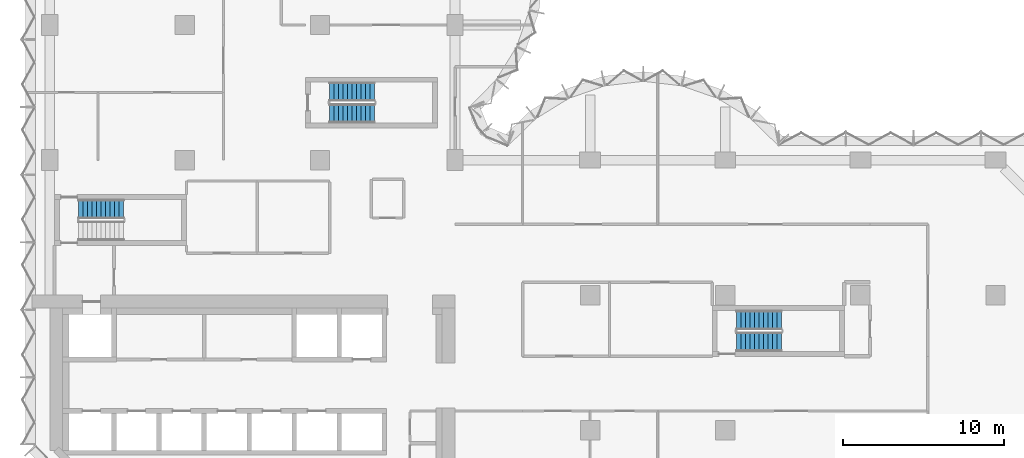
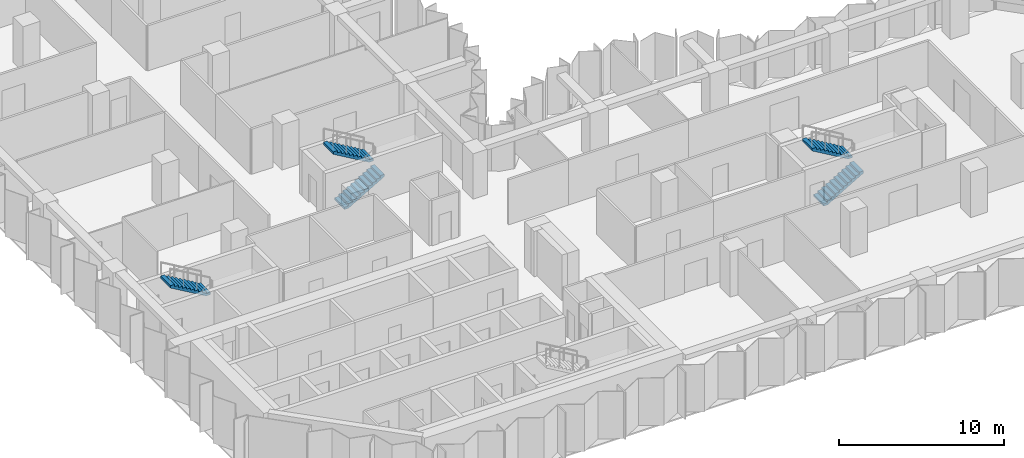
# One storey, part 11 of 13: 5 stair flights, 3 elements without a shape of their own.
"""IFC4 building model written with IfcOpenShell, lengths in metres."""

from ifc_helpers import new_model, si_unit, direction, frame, origin, place, context, subcontext, project, spatial, polyline, outline, extrude, material, type_object, element, aggregate, save


model = new_model("IFC4")

# Units and contexts
model_context = context("Model", 3, precision=1e-05, world=origin(), true_north=direction((0.0, 1.0)))
body_context = subcontext(model_context, "Body", "Model", "MODEL_VIEW")
ifc_project = project(units=[si_unit("LENGTHUNIT", "METRE"), si_unit("AREAUNIT", "SQUARE_METRE"), si_unit("VOLUMEUNIT", "CUBIC_METRE"), si_unit("PLANEANGLEUNIT", "RADIAN"), si_unit("MASSUNIT", "GRAM", prefix="KILO")], contexts=[model_context])

# Site, building, storey
site_placement = place(None, origin())
site = spatial("IfcSite", under=ifc_project, at=site_placement, CompositionType="ELEMENT")
building_placement = place(site_placement, origin())
building = spatial("IfcBuilding", under=site, at=building_placement, Name="Brevane Broadcast Tower", CompositionType="ELEMENT")
storey_placement = place(building_placement, frame((0.0, 0.0, 91.699951171875)))
storey = spatial("IfcBuildingStorey", under=building, at=storey_placement, Name="L21", CompositionType="ELEMENT", Elevation=91.699951171875)

# Stair, stair flight
ifc_material = material(Name="Concrete C50/60", Category="concrete")
stair_type = type_object("IfcStairType", Name="Exit stair 22 risers", PredefinedType="HALF_TURN_STAIR", material=ifc_material)
stair_1_placement = place(storey_placement, origin())
stair_1 = element("IfcStair", 1, at=stair_1_placement, inside=storey, type_object=stair_type, Name="L21 Exit stair ST-1", PredefinedType="HALF_TURN_STAIR")
stair_flight_type = type_object("IfcStairFlightType", Name="Exit stair flight 22 risers", PredefinedType="STRAIGHT", material=ifc_material)
stair_flight_1_placement = place(storey_placement, frame((4.60009765625, 22.14990234375, 1.800048828125), z_axis=(0.0, 0.0, 1.0), x_axis=(-1.0, 0.0, 0.0)))
stair_flight_1 = element("IfcStairFlight", 2, at=stair_flight_1_placement, type_object=stair_flight_type, Name="ST-1 flight 2", NumberOfRisers=11, NumberOfTreads=10, PredefinedType="STRAIGHT", RiserHeight=0.163636364, TreadLength=0.28, context=body_context, shape_type="SweptSolid", body=[
    extrude(outline(polyline([(0.0, 0.0), (0.0, 0.16357421875), (0.280029296875, 0.16357421875), (0.280029296875, 0.327392578125), (0.56005859375, 0.327392578125), (0.56005859375, 0.490966796875), (0.840087890625, 0.490966796875), (0.840087890625, 0.654541015625), (1.1201171875, 0.654541015625), (1.1201171875, 0.818115234375), (1.39990234375, 0.818115234375), (1.39990234375, 0.98193359375), (1.679931640625, 0.98193359375), (1.679931640625, 1.1455078125), (1.9599609375, 1.1455078125), (1.9599609375, 1.30908203125), (2.239990234375, 1.30908203125), (2.239990234375, 1.47265625), (2.52001953125, 1.47265625), (2.52001953125, 1.636474609375), (2.800048828125, 1.636474609375), (2.800048828125, 1.800048828125), (2.800048828125, 1.462646484375), (0.297119140625, 0.0), (0.0, 0.0)])), frame((0.0, 0.60009765625, 0.0), z_axis=(0.0, -1.0, 0.0), x_axis=(1.0, 0.0, 0.0)), (0.0, 0.0, 1.0), 1.199951171875),
])
aggregate(stair_1, [stair_flight_1])

# Stair, stair flights
stair_2_placement = place(storey_placement, origin())
stair_2 = element("IfcStair", 3, at=stair_2_placement, inside=storey, type_object=stair_type, Name="L21 Exit stair ST-3", PredefinedType="HALF_TURN_STAIR")
stair_flight_2_placement = place(storey_placement, frame((17.39990234375, 28.10009765625, 0.0), z_axis=(0.0, 0.0, 1.0), x_axis=(1.0, 0.0, 0.0)))
stair_flight_2 = element("IfcStairFlight", 4, at=stair_flight_2_placement, type_object=stair_flight_type, Name="ST-3 flight 1", NumberOfRisers=11, NumberOfTreads=10, PredefinedType="STRAIGHT", RiserHeight=0.163636364, TreadLength=0.28, context=body_context, shape_type="SweptSolid", body=[
    extrude(outline(polyline([(0.0, 0.0), (0.0, 0.16357421875), (0.280029296875, 0.16357421875), (0.280029296875, 0.327392578125), (0.56005859375, 0.327392578125), (0.56005859375, 0.490966796875), (0.840087890625, 0.490966796875), (0.840087890625, 0.654541015625), (1.1201171875, 0.654541015625), (1.1201171875, 0.818115234375), (1.39990234375, 0.818115234375), (1.39990234375, 0.98193359375), (1.679931640625, 0.98193359375), (1.679931640625, 1.1455078125), (1.9599609375, 1.1455078125), (1.9599609375, 1.30908203125), (2.239990234375, 1.30908203125), (2.239990234375, 1.47265625), (2.52001953125, 1.47265625), (2.52001953125, 1.636474609375), (2.800048828125, 1.636474609375), (2.800048828125, 1.800048828125), (2.800048828125, 1.462646484375), (0.297119140625, 0.0), (0.0, 0.0)])), frame((0.0, 0.60009765625, 0.0), z_axis=(0.0, -1.0, 0.0), x_axis=(1.0, 0.0, 0.0)), (0.0, 0.0, 1.0), 1.199951171875),
])
stair_flight_3_placement = place(storey_placement, frame((20.199951171875, 29.449951171875, 1.800048828125), z_axis=(0.0, 0.0, 1.0), x_axis=(-1.0, 0.0, 0.0)))
stair_flight_3 = element("IfcStairFlight", 5, at=stair_flight_3_placement, type_object=stair_flight_type, Name="ST-3 flight 2", NumberOfRisers=11, NumberOfTreads=10, PredefinedType="STRAIGHT", RiserHeight=0.163636364, TreadLength=0.28, context=body_context, shape_type="SweptSolid", body=[
    extrude(outline(polyline([(0.0, 0.0), (0.0, 0.16357421875), (0.280029296875, 0.16357421875), (0.280029296875, 0.327392578125), (0.56005859375, 0.327392578125), (0.56005859375, 0.490966796875), (0.840087890625, 0.490966796875), (0.840087890625, 0.654541015625), (1.1201171875, 0.654541015625), (1.1201171875, 0.818115234375), (1.39990234375, 0.818115234375), (1.39990234375, 0.98193359375), (1.679931640625, 0.98193359375), (1.679931640625, 1.1455078125), (1.9599609375, 1.1455078125), (1.9599609375, 1.30908203125), (2.239990234375, 1.30908203125), (2.239990234375, 1.47265625), (2.52001953125, 1.47265625), (2.52001953125, 1.636474609375), (2.800048828125, 1.636474609375), (2.800048828125, 1.800048828125), (2.800048828125, 1.462646484375), (0.297119140625, 0.0), (0.0, 0.0)])), frame((0.0, 0.60009765625, 0.0), z_axis=(0.0, -1.0, 0.0), x_axis=(1.0, 0.0, 0.0)), (0.0, 0.0, 1.0), 1.199951171875),
])
aggregate(stair_2, [stair_flight_2, stair_flight_3])

stair_3_placement = place(storey_placement, origin())
stair_3 = element("IfcStair", 6, at=stair_3_placement, inside=storey, type_object=stair_type, Name="L21 Exit stair ST-4", PredefinedType="HALF_TURN_STAIR")
stair_flight_4_placement = place(storey_placement, frame((42.699951171875, 13.89990234375, 0.0), z_axis=(0.0, 0.0, 1.0), x_axis=(1.0, 0.0, 0.0)))
stair_flight_4 = element("IfcStairFlight", 7, at=stair_flight_4_placement, type_object=stair_flight_type, Name="ST-4 flight 1", NumberOfRisers=11, NumberOfTreads=10, PredefinedType="STRAIGHT", RiserHeight=0.163636364, TreadLength=0.28, context=body_context, shape_type="SweptSolid", body=[
    extrude(outline(polyline([(0.0, 0.0), (0.0, 0.16357421875), (0.280029296875, 0.16357421875), (0.280029296875, 0.327392578125), (0.56005859375, 0.327392578125), (0.56005859375, 0.490966796875), (0.840087890625, 0.490966796875), (0.840087890625, 0.654541015625), (1.1201171875, 0.654541015625), (1.1201171875, 0.818115234375), (1.39990234375, 0.818115234375), (1.39990234375, 0.98193359375), (1.679931640625, 0.98193359375), (1.679931640625, 1.1455078125), (1.9599609375, 1.1455078125), (1.9599609375, 1.30908203125), (2.239990234375, 1.30908203125), (2.239990234375, 1.47265625), (2.52001953125, 1.47265625), (2.52001953125, 1.636474609375), (2.800048828125, 1.636474609375), (2.800048828125, 1.800048828125), (2.800048828125, 1.462646484375), (0.297119140625, 0.0), (0.0, 0.0)])), frame((0.0, 0.60009765625, 0.0), z_axis=(0.0, -1.0, 0.0), x_axis=(1.0, 0.0, 0.0)), (0.0, 0.0, 1.0), 1.199951171875),
])
stair_flight_5_placement = place(storey_placement, frame((45.5, 15.25, 1.800048828125), z_axis=(0.0, 0.0, 1.0), x_axis=(-1.0, 0.0, 0.0)))
stair_flight_5 = element("IfcStairFlight", 8, at=stair_flight_5_placement, type_object=stair_flight_type, Name="ST-4 flight 2", NumberOfRisers=11, NumberOfTreads=10, PredefinedType="STRAIGHT", RiserHeight=0.163636364, TreadLength=0.28, context=body_context, shape_type="SweptSolid", body=[
    extrude(outline(polyline([(0.0, 0.0), (0.0, 0.16357421875), (0.280029296875, 0.16357421875), (0.280029296875, 0.327392578125), (0.56005859375, 0.327392578125), (0.56005859375, 0.490966796875), (0.840087890625, 0.490966796875), (0.840087890625, 0.654541015625), (1.1201171875, 0.654541015625), (1.1201171875, 0.818115234375), (1.39990234375, 0.818115234375), (1.39990234375, 0.98193359375), (1.679931640625, 0.98193359375), (1.679931640625, 1.1455078125), (1.9599609375, 1.1455078125), (1.9599609375, 1.30908203125), (2.239990234375, 1.30908203125), (2.239990234375, 1.47265625), (2.52001953125, 1.47265625), (2.52001953125, 1.636474609375), (2.800048828125, 1.636474609375), (2.800048828125, 1.800048828125), (2.800048828125, 1.462646484375), (0.297119140625, 0.0), (0.0, 0.0)])), frame((0.0, 0.60009765625, 0.0), z_axis=(0.0, -1.0, 0.0), x_axis=(1.0, 0.0, 0.0)), (0.0, 0.0, 1.0), 1.199951171875),
])
aggregate(stair_3, [stair_flight_4, stair_flight_5])

save(model, "model.ifc")
